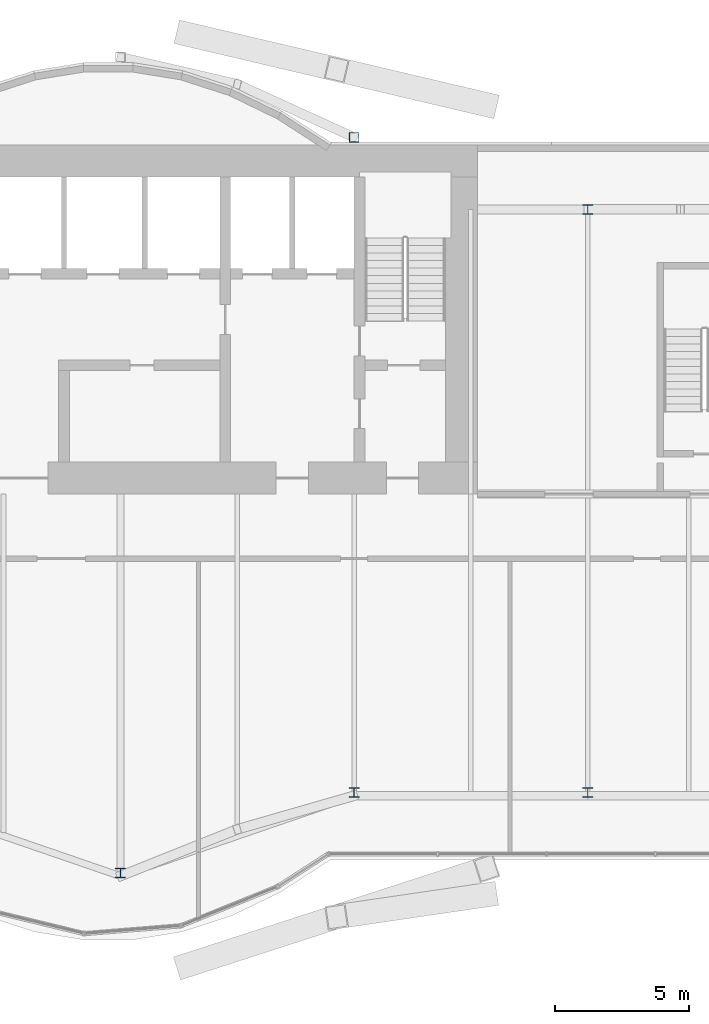
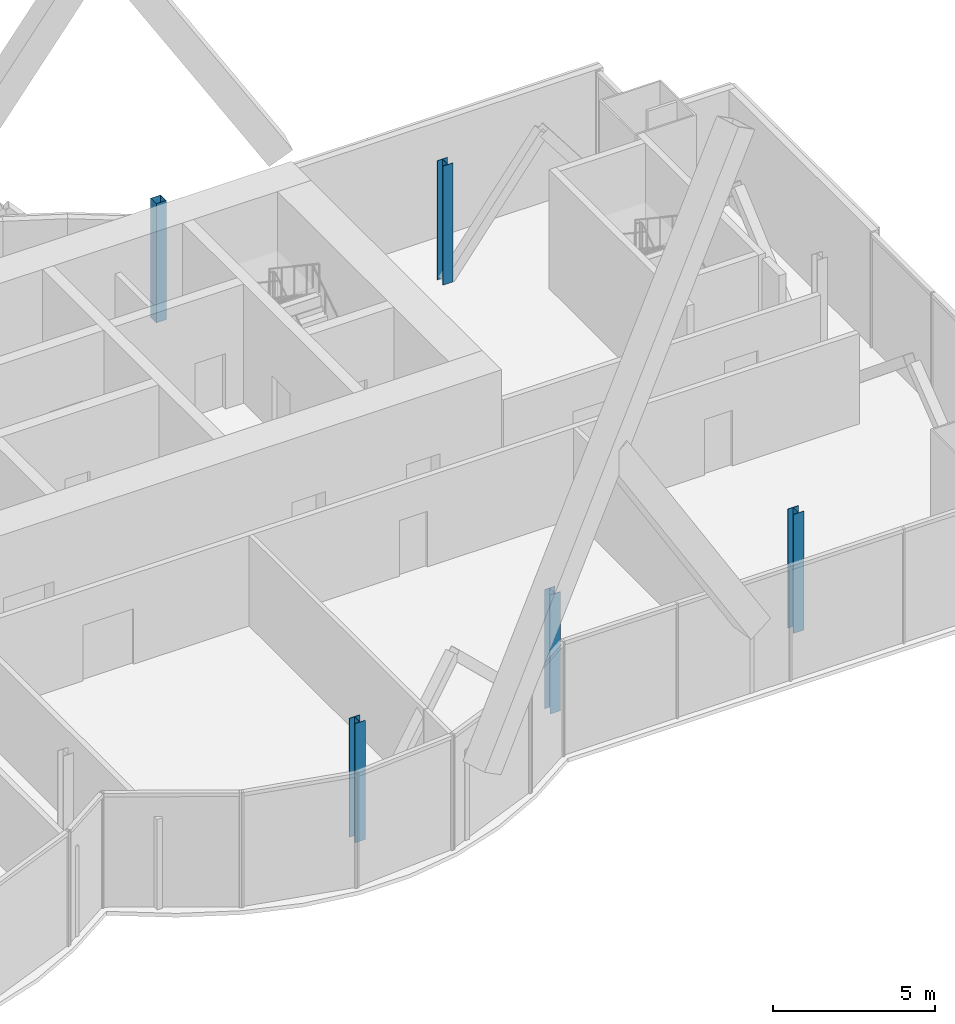
# One storey, part 2 of 20: 5 columns.
"""IFC4 building model written with IfcOpenShell, lengths in metres."""

from ifc_helpers import new_model, si_unit, direction, frame, origin, origin_2d, place, context, subcontext, project, spatial, hollow_rectangle, i_section, extrude, material, material_profile, profile_set, type_object, element, save


model = new_model("IFC4")

# Units and contexts
model_context = context("Model", 3, precision=1e-05, world=origin(), true_north=direction((0.0, 1.0)))
body_context = subcontext(model_context, "Body", "Model", "MODEL_VIEW")
ifc_project = project(units=[si_unit("LENGTHUNIT", "METRE"), si_unit("AREAUNIT", "SQUARE_METRE"), si_unit("VOLUMEUNIT", "CUBIC_METRE"), si_unit("PLANEANGLEUNIT", "RADIAN"), si_unit("MASSUNIT", "GRAM", prefix="KILO")], contexts=[model_context])

# Site, building, storey
site_placement = place(None, origin())
site = spatial("IfcSite", under=ifc_project, at=site_placement, CompositionType="ELEMENT")
building_placement = place(site_placement, origin())
building = spatial("IfcBuilding", under=site, at=building_placement, Name="Bicima Exchange Tower", CompositionType="ELEMENT")
storey_placement = place(building_placement, frame((0.0, 0.0, 306.5)))
storey = spatial("IfcBuildingStorey", under=building, at=storey_placement, Name="L69", CompositionType="ELEMENT", Elevation=306.5)

# Columns
ifc_material_1 = material(Name="Steel ASTM A992 Gr 50", Category="steel")
ifc_material_profile_1 = material_profile(ifc_material_1, i_section(OverallWidth=0.368408203125, OverallDepth=0.355712890625, WebThickness=0.01123046875, FlangeThickness=0.01806640625, at=origin_2d()))
ifc_profile_set_1 = profile_set([ifc_material_profile_1], Name="Steel ASTM A992 Gr 50")
column_type_1 = type_object("IfcColumnType", Name="Perimeter column W14x90", PredefinedType="COLUMN", material=ifc_profile_set_1)
for number, where, z_axis, x_axis, name in (
    (1, (8.699951171875, -27.09716796875, 0.0), (0.0, 0.0, 1.0), (1.0, 0.0, 0.0), "Perimeter column grav+8.7f"),
    (2, (17.39990234375, -24.10595703125, 0.0), (0.0, 0.0, 1.0), (1.0, 0.0, 0.0), "Perimeter column grav+17.4f"),
    (3, (26.10009765625, -24.10595703125, 0.0), (0.0, 0.0, 1.0), (1.0, 0.0, 0.0), "Perimeter column grav+26.1f"),
    (4, (26.10009765625, -2.39990234375, 0.0), (0.0, 0.0, 1.0), (1.0, 0.0, 0.0), "Perimeter column grav+26.1r"),
):
    element("IfcColumn", number, at=place(storey_placement, frame(where, z_axis=z_axis, x_axis=x_axis)), inside=storey, type_object=column_type_1, Name=name, PredefinedType="COLUMN", context=body_context, shape_type="SweptSolid", body=[
        extrude(i_section(OverallWidth=0.368408203125, OverallDepth=0.355712890625, WebThickness=0.01123046875, FlangeThickness=0.01806640625, at=origin_2d()), origin(), (0.0, 0.0, 1.0), 4.5),
    ])
ifc_material_2 = material(Name="Steel ASTM A572 Gr 50", Category="steel")
ifc_material_profile_2 = material_profile(ifc_material_2, hollow_rectangle(XDim=0.355712890625, YDim=0.355712890625, WallThickness=0.01171875, at=origin_2d()))
ifc_profile_set_2 = profile_set([ifc_material_profile_2], Name="Steel ASTM A572 Gr 50")
column_type_2 = type_object("IfcColumnType", Name="Rear pilaster HSS14x14x1/2", PredefinedType="COLUMN", material=ifc_profile_set_2)
column_placement = place(storey_placement, frame((17.39990234375, 0.278076171875, 0.0), z_axis=(0.0, 0.0, 1.0), x_axis=(1.0, 0.0, 0.0)))
element("IfcColumn", 5, at=column_placement, inside=storey, type_object=column_type_2, Name="Rear pilaster rexo+17.4r", PredefinedType="COLUMN", context=body_context, shape_type="SweptSolid", body=[
    extrude(hollow_rectangle(XDim=0.355712890625, YDim=0.355712890625, WallThickness=0.01171875, at=origin_2d()), origin(), (0.0, 0.0, 1.0), 4.5),
])

save(model, "model.ifc")
